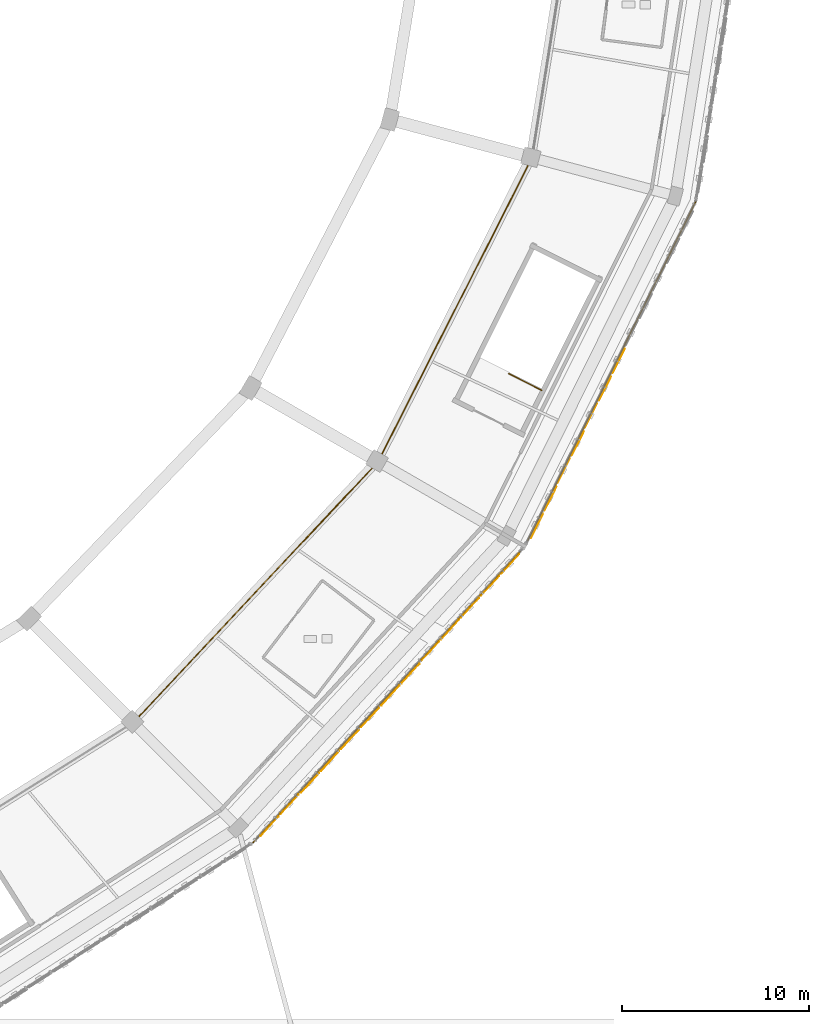
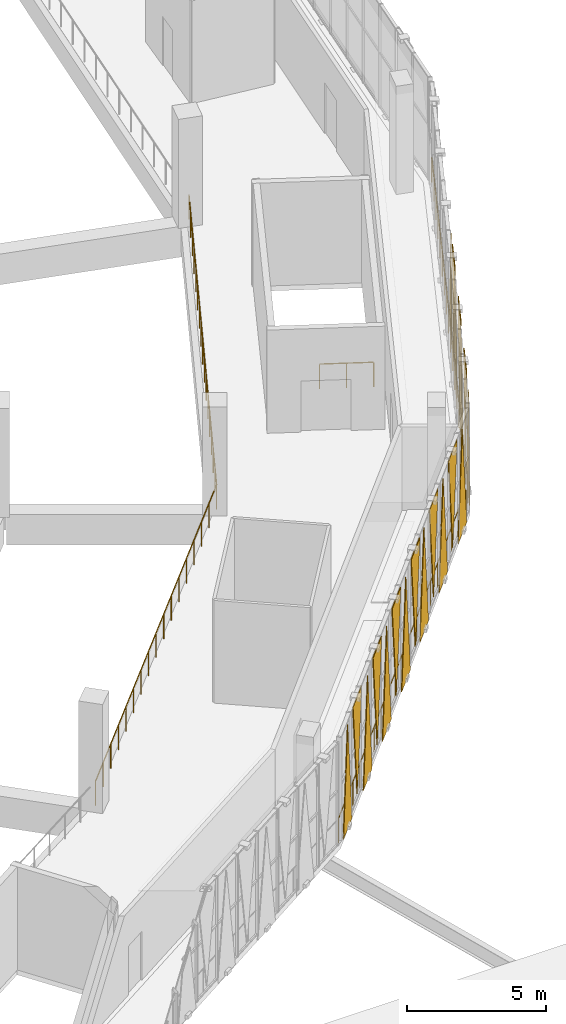
# One storey, part 93 of 108: 20 coverings, 5 railings.
"""IFC4 building model written with IfcOpenShell, lengths in metres."""

from ifc_helpers import new_model, si_unit, direction, frame, origin, origin_2d, place, context, subcontext, project, spatial, polyline, circle, outline, extrude, material, layer, layer_set, type_object, element, save


model = new_model("IFC4")

# Units and contexts
model_context = context("Model", 3, precision=1e-05, world=origin(), true_north=direction((0.0, 1.0)))
body_context = subcontext(model_context, "Body", "Model", "MODEL_VIEW")
ifc_project = project(units=[si_unit("LENGTHUNIT", "METRE"), si_unit("AREAUNIT", "SQUARE_METRE"), si_unit("VOLUMEUNIT", "CUBIC_METRE"), si_unit("PLANEANGLEUNIT", "RADIAN"), si_unit("MASSUNIT", "GRAM", prefix="KILO")], contexts=[model_context])

# Site, building, storey
site_placement = place(None, origin())
site = spatial("IfcSite", under=ifc_project, at=site_placement, CompositionType="ELEMENT")
building_placement = place(site_placement, origin())
building = spatial("IfcBuilding", under=site, at=building_placement, Name="Zevraka Park Crest Stadium", CompositionType="ELEMENT")
storey_placement = place(building_placement, frame((0.0, 0.0, 19.800048828125)))
storey = spatial("IfcBuildingStorey", under=building, at=storey_placement, Name="L04", CompositionType="ELEMENT", Elevation=19.800048828125)

# Coverings
ifc_material_1 = material(Name="Architectural golden-bronze perforated aluminium", Category="aluminium")
ifc_layer = layer(ifc_material_1, 0.034912109375)
ifc_layer_set = layer_set([ifc_layer], Name="Architectural golden-bronze perforated aluminium")
covering_type = type_object("IfcCoveringType", Name="CLD01", PredefinedType="CLADDING", material=ifc_layer_set)
covering_1_placement = place(storey_placement, frame((177.05810546875, 38.2958984375, -0.219970703125), z_axis=(0.73669182447, -0.6762286266, 1.8024112e-05), x_axis=(0.67622862671, 0.73669182459, 0.0)))
element("IfcCovering", 1, at=covering_1_placement, inside=storey, type_object=covering_type, Name="Triangular Golden-Bronze Perforated Cladding L04-21-1", PredefinedType="CLADDING", context=body_context, shape_type="SweptSolid", body=[
    extrude(outline(polyline([(0.0, 0.0), (1.4253569716340697, 3.3881317890172014e-21), (0.7127684140182788, 4.579833985118923), (0.0, 0.0)])), origin(), (0.0, 0.0, -1.0), 0.034912109375),
])
covering_2_placement = place(storey_placement, frame((179.093994140625, 40.513916015625, 4.52001953125), z_axis=(0.73652814677, -0.67640689572, 2.0908651e-05), x_axis=(-0.676406895868, -0.736528146931, 0.0)))
element("IfcCovering", 2, at=covering_2_placement, inside=storey, type_object=covering_type, Name="Triangular Golden-Bronze Perforated Cladding L04-21-2", PredefinedType="CLADDING", context=body_context, shape_type="SweptSolid", body=[
    extrude(outline(polyline([(0.0, 0.0), (1.4253422518524892, -3.3881317890172014e-21), (0.7125885567250888, 4.30004882906493), (0.0, 0.0)])), origin(), (0.0, 0.0, -1.0), 0.034912109375),
])
covering_3_placement = place(storey_placement, frame((179.201904296875, 40.632080078125, -0.219970703125), z_axis=(-0.736869540714, 0.676034962353, 9.8202135e-05), x_axis=(0.676034965613, 0.736869544267, 0.0)))
element("IfcCovering", 3, at=covering_3_placement, inside=storey, type_object=covering_type, Name="Triangular Golden-Bronze Perforated Cladding L04-21-3", PredefinedType="CLADDING", context=body_context, shape_type="SweptSolid", body=[
    extrude(outline(polyline([(0.0, 0.0), (1.4246818798077332, -1.3552527156068805e-20), (0.712753558901433, -4.57983400645818), (0.0, 0.0)])), origin(), (0.0, 0.0, -1.0), 0.034912109375),
])
covering_4_placement = place(storey_placement, frame((181.237060546875, 42.85009765625, 4.52001953125), z_axis=(-0.736947844545, 0.675949603983, 8.5413888e-05), x_axis=(-0.675949606449, -0.736947847233, 0.0)))
element("IfcCovering", 4, at=covering_4_placement, inside=storey, type_object=covering_type, Name="Triangular Golden-Bronze Perforated Cladding L04-21-4", PredefinedType="CLADDING", context=body_context, shape_type="SweptSolid", body=[
    extrude(outline(polyline([(0.0, 0.0), (1.4248617891578852, -1.3552527156068805e-20), (0.7129334209314178, -4.300048843810572), (0.0, 0.0)])), origin(), (0.0, 0.0, -1.0), 0.034912109375),
])
covering_5_placement = place(storey_placement, frame((181.344970703125, 42.968017578125, -0.219970703125), z_axis=(-0.736292908561, 0.676662949943, 7.0553383e-05), x_axis=(0.676662951627, 0.736292910393, 0.0)))
element("IfcCovering", 5, at=covering_5_placement, inside=storey, type_object=covering_type, Name="Triangular Golden-Bronze Perforated Cladding L04-21-5", PredefinedType="CLADDING", context=body_context, shape_type="SweptSolid", body=[
    extrude(outline(polyline([(0.0, 0.0), (1.4248028886560142, 1.3552527156068805e-20), (0.7118694463417287, -4.579833995773702), (0.0, 0.0)])), origin(), (0.0, 0.0, -1.0), 0.034912109375),
])
covering_6_placement = place(storey_placement, frame((183.381103515625, 45.18505859375, 4.52001953125), z_axis=(-0.736606499774, 0.676321568847, 1.711376e-06), x_axis=(-0.676321568848, -0.736606499776, 0.0)))
element("IfcCovering", 6, at=covering_6_placement, inside=storey, type_object=covering_type, Name="Triangular Golden-Bronze Perforated Cladding L04-21-6", PredefinedType="CLADDING", context=body_context, shape_type="SweptSolid", body=[
    extrude(outline(polyline([(0.0, 0.0), (1.4255220778597701, 2.117582368135751e-22), (0.7129335155007621, -4.300048828131297), (0.0, 0.0)])), origin(), (0.0, 0.0, -1.0), 0.034912109375),
])
covering_7_placement = place(storey_placement, frame((183.489013671875, 45.302978515625, -0.219970703125), z_axis=(-0.737033200725, 0.67585653189, 9.6593351e-05), x_axis=(0.675856535043, 0.737033204163, 0.0)))
element("IfcCovering", 7, at=covering_7_placement, inside=storey, type_object=covering_type, Name="Triangular Golden-Bronze Perforated Cladding L04-21-7", PredefinedType="CLADDING", context=body_context, shape_type="SweptSolid", body=[
    extrude(outline(polyline([(0.0, 0.0), (1.4246967737590959, 0.0), (0.7125884250797443, -4.579834005740556), (0.0, 0.0)])), origin(), (0.0, 0.0, -1.0), 0.034912109375),
])
covering_8_placement = place(storey_placement, frame((185.52392578125, 47.52099609375, 4.52001953125), z_axis=(-0.736691824454, 0.676228626586, 1.9196861e-05), x_axis=(-0.67622862671, -0.73669182459, 0.0)))
element("IfcCovering", 8, at=covering_8_placement, inside=storey, type_object=covering_type, Name="Triangular Golden-Bronze Perforated Cladding L04-21-8", PredefinedType="CLADDING", context=body_context, shape_type="SweptSolid", body=[
    extrude(outline(polyline([(0.0, 0.0), (1.4253569716340697, 1.6940658945086007e-21), (0.712588557615791, -4.300048828917326), (0.0, 0.0)])), origin(), (0.0, 0.0, -1.0), 0.034912109375),
])
covering_9_placement = place(storey_placement, frame((185.632080078125, 47.638916015625, -0.219970703125), z_axis=(0.736378282027, -0.676570038968, 9.0166059e-05), x_axis=(0.676570041718, 0.736378285021, 0.0)))
element("IfcCovering", 9, at=covering_9_placement, inside=storey, type_object=covering_type, Name="Triangular Golden-Bronze Perforated Cladding L04-21-9", PredefinedType="CLADDING", context=body_context, shape_type="SweptSolid", body=[
    extrude(outline(polyline([(0.0, 0.0), (1.4246376990809737, -1.3552527156068805e-20), (0.7127682991773403, 4.579834002991838), (0.0, 0.0)])), origin(), (0.0, 0.0, -1.0), 0.034912109375),
])
covering_10_placement = place(storey_placement, frame((187.6669921875, 49.85595703125, 4.52001953125), z_axis=(0.73703320263, -0.675856533637, 6.4505657e-05), x_axis=(-0.675856535043, -0.737033204163, 0.0)))
element("IfcCovering", 10, at=covering_10_placement, inside=storey, type_object=covering_type, Name="Triangular Golden-Bronze Perforated Cladding L04-21-10", PredefinedType="CLADDING", context=body_context, shape_type="SweptSolid", body=[
    extrude(outline(polyline([(0.0, 0.0), (1.4246967737590959, 0.0), (0.7119284089322413, 4.300048837071208), (0.0, 0.0)])), origin(), (0.0, 0.0, -1.0), 0.034912109375),
])
covering_11_placement = place(storey_placement, frame((187.77587890625, 49.97412109375, -0.219970703125), z_axis=(0.736869542988, -0.676034964439, 5.8921281e-05), x_axis=(0.676034965613, 0.736869544267, 0.0)))
element("IfcCovering", 11, at=covering_11_placement, inside=storey, type_object=covering_type, Name="Triangular Golden-Bronze Perforated Cladding L04-21-11", PredefinedType="CLADDING", context=body_context, shape_type="SweptSolid", body=[
    extrude(outline(polyline([(0.0, 0.0), (1.4246818798077332, 0.0), (0.7120933685053268, 4.579833992324945), (0.0, 0.0)])), origin(), (0.0, 0.0, -1.0), 0.034912109375),
])
covering_12_placement = place(storey_placement, frame((189.81103515625, 52.19189453125, 4.52001953125), z_axis=(0.73652814677, -0.67640689572, 2.0908651e-05), x_axis=(-0.676406895868, -0.736528146931, 0.0)))
element("IfcCovering", 12, at=covering_12_placement, inside=storey, type_object=covering_type, Name="Triangular Golden-Bronze Perforated Cladding L04-21-12", PredefinedType="CLADDING", context=body_context, shape_type="SweptSolid", body=[
    extrude(outline(polyline([(0.0, 0.0), (1.4253422518524892, -3.3881317890172014e-21), (0.7125885567250888, 4.30004882906493), (0.0, 0.0)])), origin(), (0.0, 0.0, -1.0), 0.034912109375),
])
covering_13_placement = place(storey_placement, frame((189.9189453125, 52.31005859375, -0.219970703125), z_axis=(0.736606499775, -0.676321568847, 1.606827e-06), x_axis=(0.676321568848, 0.736606499776, 0.0)))
element("IfcCovering", 13, at=covering_13_placement, inside=storey, type_object=covering_type, Name="Triangular Golden-Bronze Perforated Cladding L04-21-13", PredefinedType="CLADDING", context=body_context, shape_type="SweptSolid", body=[
    extrude(outline(polyline([(0.0, 0.0), (1.4255220778597701, 2.117582368135751e-22), (0.7125885623590082, 4.579833984380912), (0.0, 0.0)])), origin(), (0.0, 0.0, -1.0), 0.034912109375),
])
covering_14_placement = place(storey_placement, frame((191.47607421875, 54.22509765625, -0.219970703125), z_axis=(-0.895905829661, 0.444244013052, 3.5324757e-05), x_axis=(0.444244013329, 0.89590583022, 0.0)))
element("IfcCovering", 14, at=covering_14_placement, inside=storey, type_object=covering_type, Name="Triangular Golden-Bronze Perforated Cladding L04-22-1", PredefinedType="CLADDING", context=body_context, shape_type="SweptSolid", body=[
    extrude(outline(polyline([(0.0, 0.0), (1.4810756355382801, -3.3881317890172014e-21), (0.7399367712402793, -4.579833987232447), (0.0, 0.0)])), origin(), (0.0, 0.0, -1.0), 0.034912109375),
])
covering_15_placement = place(storey_placement, frame((192.862060546875, 57.02197265625, 4.52001953125), z_axis=(-0.896168164395, 0.443714541009, 0.000164991326), x_axis=(-0.443714547049, -0.896168176593, 0.0)))
element("IfcCovering", 15, at=covering_15_placement, inside=storey, type_object=covering_type, Name="Triangular Golden-Bronze Perforated Cladding L04-22-2", PredefinedType="CLADDING", context=body_context, shape_type="SweptSolid", body=[
    extrude(outline(polyline([(0.0, 0.0), (1.480642061984624, 1.3552527156068805e-20), (0.7402636662712996, -4.300048886653262), (0.0, 0.0)])), origin(), (0.0, 0.0, -1.0), 0.034912109375),
])
covering_16_placement = place(storey_placement, frame((192.93310546875, 57.166015625, -0.219970703125), z_axis=(0.895775587692, -0.444506575001, 3.572371e-05), x_axis=(0.444506575285, 0.895775588264, 0.0)))
element("IfcCovering", 16, at=covering_16_placement, inside=storey, type_object=covering_type, Name="Triangular Golden-Bronze Perforated Cladding L04-22-3", PredefinedType="CLADDING", context=body_context, shape_type="SweptSolid", body=[
    extrude(outline(polyline([(0.0, 0.0), (1.4802007910768735, 3.3881317890172014e-21), (0.7401554820878727, 4.579833987297354), (0.0, 0.0)])), origin(), (0.0, 0.0, -1.0), 0.034912109375),
])
covering_17_placement = place(storey_placement, frame((194.319091796875, 59.962890625, 4.52001953125), z_axis=(-0.89616817301, 0.443714545275, 8.941399e-05), x_axis=(-0.443714547049, -0.896168176593, 0.0)))
element("IfcCovering", 17, at=covering_17_placement, inside=storey, type_object=covering_type, Name="Triangular Golden-Bronze Perforated Cladding L04-22-4", PredefinedType="CLADDING", context=body_context, shape_type="SweptSolid", body=[
    extrude(outline(polyline([(0.0, 0.0), (1.480642061984624, 0.0), (0.7409200394475148, -4.300048845314149), (0.0, 0.0)])), origin(), (0.0, 0.0, -1.0), 0.034912109375),
])
covering_18_placement = place(storey_placement, frame((194.389892578125, 60.10595703125, -0.219970703125), z_axis=(0.895872759196, -0.444310698821, 4.7370403e-05), x_axis=(0.44431069932, 0.895872760201, 0.0)))
element("IfcCovering", 18, at=covering_18_placement, inside=storey, type_object=covering_type, Name="Triangular Golden-Bronze Perforated Cladding L04-22-5", PredefinedType="CLADDING", context=body_context, shape_type="SweptSolid", body=[
    extrude(outline(polyline([(0.0, 0.0), (1.481402824662643, 3.3881317890172014e-21), (0.7411388502025134, 4.579833989513471), (0.0, 0.0)])), origin(), (0.0, 0.0, -1.0), 0.034912109375),
])
covering_19_placement = place(storey_placement, frame((195.77587890625, 62.903076171875, 4.52001953125), z_axis=(-0.896200625851, 0.443648985314, 0.000126701806), x_axis=(-0.443648988875, -0.896200633045, 0.0)))
element("IfcCovering", 19, at=covering_19_placement, inside=storey, type_object=covering_type, Name="Triangular Golden-Bronze Perforated Cladding L04-22-6", PredefinedType="CLADDING", context=body_context, shape_type="SweptSolid", body=[
    extrude(outline(polyline([(0.0, 0.0), (1.4808608570056243, -1.3552527156068805e-20), (0.7401552996495949, -4.300048862640089), (0.0, 0.0)])), origin(), (0.0, 0.0, -1.0), 0.034912109375),
])
covering_20_placement = place(storey_placement, frame((195.846923828125, 63.047119140625, -0.219970703125), z_axis=(-0.896168162305, 0.443714539975, 0.000178565316), x_axis=(0.443714547049, 0.896168176593, 0.0)))
element("IfcCovering", 20, at=covering_20_placement, inside=storey, type_object=covering_type, Name="Triangular Golden-Bronze Perforated Cladding L04-22-7", PredefinedType="CLADDING", context=body_context, shape_type="SweptSolid", body=[
    extrude(outline(polyline([(0.0, 0.0), (1.480642061984624, 1.3552527156068805e-20), (0.7400448752125612, -4.5798340573903165), (0.0, 0.0)])), origin(), (0.0, 0.0, -1.0), 0.034912109375),
])

# Railings
ifc_material_2 = material(Name="Galvanised and bronze-finished steel balustrade", Category="steel")
railing_type_1 = type_object("IfcRailingType", Name="GR01", PredefinedType="GUARDRAIL", material=ifc_material_2)
railing_1_placement = place(storey_placement, frame((200.31494140625, 72.220947265625, 0.0)))
element("IfcRailing", 21, at=railing_1_placement, inside=storey, type_object=railing_type_1, Name="Deck Edge Protection Guardrail GR01 L04-14", PredefinedType="GUARDRAIL", context=body_context, shape_type="SweptSolid", body=[
    extrude(circle(Radius=0.02392578125, at=origin_2d()), frame((0.0, 0.0, 1.076171875), z_axis=(-0.443962582081, -0.896045325702, 0.0), x_axis=(0.896045325702, -0.443962582081, 0.0)), (0.0, 0.0, 1.0), 20.204345703125),
    extrude(circle(Radius=0.02099609375, at=origin_2d()), origin(), (0.0, 0.0, 1.0), 1.052001953125),
    extrude(circle(Radius=0.02099609375, at=origin_2d()), frame((-0.527587890625, -1.06494140625, 0.0)), (0.0, 0.0, 1.0), 1.052001953125),
    extrude(circle(Radius=0.02099609375, at=origin_2d()), frame((-1.05517578125, -2.1298828125, 0.0)), (0.0, 0.0, 1.0), 1.052001953125),
    extrude(circle(Radius=0.02099609375, at=origin_2d()), frame((-1.5830078125, -3.19482421875, 0.0)), (0.0, 0.0, 1.0), 1.052001953125),
    extrude(circle(Radius=0.02099609375, at=origin_2d()), frame((-2.110595703125, -4.259765625, 0.0)), (0.0, 0.0, 1.0), 1.052001953125),
    extrude(circle(Radius=0.02099609375, at=origin_2d()), frame((-2.63818359375, -5.32470703125, 0.0)), (0.0, 0.0, 1.0), 1.052001953125),
    extrude(circle(Radius=0.02099609375, at=origin_2d()), frame((-3.165771484375, -6.3896484375, 0.0)), (0.0, 0.0, 1.0), 1.052001953125),
    extrude(circle(Radius=0.02099609375, at=origin_2d()), frame((-3.693603515625, -7.45458984375, 0.0)), (0.0, 0.0, 1.0), 1.052001953125),
    extrude(circle(Radius=0.02099609375, at=origin_2d()), frame((-4.22119140625, -8.51953125, 0.0)), (0.0, 0.0, 1.0), 1.052001953125),
    extrude(circle(Radius=0.02099609375, at=origin_2d()), frame((-4.748779296875, -9.58447265625, 0.0)), (0.0, 0.0, 1.0), 1.052001953125),
    extrude(circle(Radius=0.02099609375, at=origin_2d()), frame((-5.2763671875, -10.6494140625, 0.0)), (0.0, 0.0, 1.0), 1.052001953125),
    extrude(circle(Radius=0.02099609375, at=origin_2d()), frame((-5.80419921875, -11.71435546875, 0.0)), (0.0, 0.0, 1.0), 1.052001953125),
    extrude(circle(Radius=0.02099609375, at=origin_2d()), frame((-6.331787109375, -12.779296875, 0.0)), (0.0, 0.0, 1.0), 1.052001953125),
    extrude(circle(Radius=0.02099609375, at=origin_2d()), frame((-6.859375, -13.84423828125, 0.0)), (0.0, 0.0, 1.0), 1.052001953125),
    extrude(circle(Radius=0.02099609375, at=origin_2d()), frame((-7.386962890625, -14.9091796875, 0.0)), (0.0, 0.0, 1.0), 1.052001953125),
    extrude(circle(Radius=0.02099609375, at=origin_2d()), frame((-7.914794921875, -15.97412109375, 0.0)), (0.0, 0.0, 1.0), 1.052001953125),
    extrude(circle(Radius=0.02099609375, at=origin_2d()), frame((-8.4423828125, -17.0390625, 0.0)), (0.0, 0.0, 1.0), 1.052001953125),
    extrude(circle(Radius=0.02099609375, at=origin_2d()), frame((-8.969970703125, -18.10400390625, 0.0)), (0.0, 0.0, 1.0), 1.052001953125),
])
railing_2_placement = place(storey_placement, frame((190.923095703125, 53.507080078125, 0.0)))
element("IfcRailing", 22, at=railing_2_placement, inside=storey, type_object=railing_type_1, Name="Deck Edge Protection Guardrail GR01 L04-15", PredefinedType="GUARDRAIL", context=body_context, shape_type="SweptSolid", body=[
    extrude(circle(Radius=0.02392578125, at=origin_2d()), frame((0.0, 0.0, 1.076171875), z_axis=(-0.676150451562, -0.736763575954, 0.0), x_axis=(0.736763575954, -0.676150451562, 0.0)), (0.0, 0.0, 1.0), 21.101806640625),
    extrude(circle(Radius=0.02099609375, at=origin_2d()), origin(), (0.0, 0.0, 1.0), 1.052001953125),
    extrude(circle(Radius=0.02099609375, at=origin_2d()), frame((-0.792724609375, -0.86376953125, 0.0)), (0.0, 0.0, 1.0), 1.052001953125),
    extrude(circle(Radius=0.02099609375, at=origin_2d()), frame((-1.58544921875, -1.7275390625, 0.0)), (0.0, 0.0, 1.0), 1.052001953125),
    extrude(circle(Radius=0.02099609375, at=origin_2d()), frame((-2.3779296875, -2.59130859375, 0.0)), (0.0, 0.0, 1.0), 1.052001953125),
    extrude(circle(Radius=0.02099609375, at=origin_2d()), frame((-3.170654296875, -3.454833984375, 0.0)), (0.0, 0.0, 1.0), 1.052001953125),
    extrude(circle(Radius=0.02099609375, at=origin_2d()), frame((-3.96337890625, -4.318603515625, 0.0)), (0.0, 0.0, 1.0), 1.052001953125),
    extrude(circle(Radius=0.02099609375, at=origin_2d()), frame((-4.756103515625, -5.182373046875, 0.0)), (0.0, 0.0, 1.0), 1.052001953125),
    extrude(circle(Radius=0.02099609375, at=origin_2d()), frame((-5.548583984375, -6.046142578125, 0.0)), (0.0, 0.0, 1.0), 1.052001953125),
    extrude(circle(Radius=0.02099609375, at=origin_2d()), frame((-6.34130859375, -6.909912109375, 0.0)), (0.0, 0.0, 1.0), 1.052001953125),
    extrude(circle(Radius=0.02099609375, at=origin_2d()), frame((-7.134033203125, -7.7734375, 0.0)), (0.0, 0.0, 1.0), 1.052001953125),
    extrude(circle(Radius=0.02099609375, at=origin_2d()), frame((-7.9267578125, -8.63720703125, 0.0)), (0.0, 0.0, 1.0), 1.052001953125),
    extrude(circle(Radius=0.02099609375, at=origin_2d()), frame((-8.719482421875, -9.5009765625, 0.0)), (0.0, 0.0, 1.0), 1.052001953125),
    extrude(circle(Radius=0.02099609375, at=origin_2d()), frame((-9.511962890625, -10.36474609375, 0.0)), (0.0, 0.0, 1.0), 1.052001953125),
    extrude(circle(Radius=0.02099609375, at=origin_2d()), frame((-10.3046875, -11.228515625, 0.0)), (0.0, 0.0, 1.0), 1.052001953125),
    extrude(circle(Radius=0.02099609375, at=origin_2d()), frame((-11.097412109375, -12.09228515625, 0.0)), (0.0, 0.0, 1.0), 1.052001953125),
    extrude(circle(Radius=0.02099609375, at=origin_2d()), frame((-11.89013671875, -12.9560546875, 0.0)), (0.0, 0.0, 1.0), 1.052001953125),
    extrude(circle(Radius=0.02099609375, at=origin_2d()), frame((-12.6826171875, -13.819580078125, 0.0)), (0.0, 0.0, 1.0), 1.052001953125),
    extrude(circle(Radius=0.02099609375, at=origin_2d()), frame((-13.475341796875, -14.683349609375, 0.0)), (0.0, 0.0, 1.0), 1.052001953125),
    extrude(circle(Radius=0.02099609375, at=origin_2d()), frame((-14.26806640625, -15.547119140625, 0.0)), (0.0, 0.0, 1.0), 1.052001953125),
])
railing_3_placement = place(storey_placement, frame((170.237060546875, 44.35693359375, 0.0)))
element("IfcRailing", 23, at=railing_3_placement, inside=storey, type_object=railing_type_1, Name="Deck Edge Protection Guardrail GR01 L04-32", PredefinedType="GUARDRAIL", context=body_context, shape_type="SweptSolid", body=[
    extrude(circle(Radius=0.02392578125, at=origin_2d()), frame((0.0, 0.0, 1.076171875), z_axis=(0.684315979341, 0.729185600803, 0.0), x_axis=(-0.729185600803, 0.684315979341, 0.0)), (0.0, 0.0, 1.0), 19.12548828125),
    extrude(circle(Radius=0.02099609375, at=origin_2d()), origin(), (0.0, 0.0, 1.0), 1.052001953125),
    extrude(circle(Radius=0.02099609375, at=origin_2d()), frame((0.81787109375, 0.87158203125, 0.0)), (0.0, 0.0, 1.0), 1.052001953125),
    extrude(circle(Radius=0.02099609375, at=origin_2d()), frame((1.635986328125, 1.7431640625, 0.0)), (0.0, 0.0, 1.0), 1.052001953125),
    extrude(circle(Radius=0.02099609375, at=origin_2d()), frame((2.4541015625, 2.614990234375, 0.0)), (0.0, 0.0, 1.0), 1.052001953125),
    extrude(circle(Radius=0.02099609375, at=origin_2d()), frame((3.27197265625, 3.486572265625, 0.0)), (0.0, 0.0, 1.0), 1.052001953125),
    extrude(circle(Radius=0.02099609375, at=origin_2d()), frame((4.08984375, 4.358154296875, 0.0)), (0.0, 0.0, 1.0), 1.052001953125),
    extrude(circle(Radius=0.02099609375, at=origin_2d()), frame((4.907958984375, 5.229736328125, 0.0)), (0.0, 0.0, 1.0), 1.052001953125),
    extrude(circle(Radius=0.02099609375, at=origin_2d()), frame((5.72607421875, 6.101318359375, 0.0)), (0.0, 0.0, 1.0), 1.052001953125),
    extrude(circle(Radius=0.02099609375, at=origin_2d()), frame((6.5439453125, 6.97314453125, 0.0)), (0.0, 0.0, 1.0), 1.052001953125),
    extrude(circle(Radius=0.02099609375, at=origin_2d()), frame((7.36181640625, 7.8447265625, 0.0)), (0.0, 0.0, 1.0), 1.052001953125),
    extrude(circle(Radius=0.02099609375, at=origin_2d()), frame((8.179931640625, 8.71630859375, 0.0)), (0.0, 0.0, 1.0), 1.052001953125),
    extrude(circle(Radius=0.02099609375, at=origin_2d()), frame((8.998046875, 9.587890625, 0.0)), (0.0, 0.0, 1.0), 1.052001953125),
    extrude(circle(Radius=0.02099609375, at=origin_2d()), frame((9.81591796875, 10.45947265625, 0.0)), (0.0, 0.0, 1.0), 1.052001953125),
    extrude(circle(Radius=0.02099609375, at=origin_2d()), frame((10.6337890625, 11.3310546875, 0.0)), (0.0, 0.0, 1.0), 1.052001953125),
    extrude(circle(Radius=0.02099609375, at=origin_2d()), frame((11.451904296875, 12.202880859375, 0.0)), (0.0, 0.0, 1.0), 1.052001953125),
    extrude(circle(Radius=0.02099609375, at=origin_2d()), frame((12.27001953125, 13.074462890625, 0.0)), (0.0, 0.0, 1.0), 1.052001953125),
    extrude(circle(Radius=0.02099609375, at=origin_2d()), frame((13.087890625, 13.946044921875, 0.0)), (0.0, 0.0, 1.0), 1.052001953125),
])
railing_4_placement = place(storey_placement, frame((183.324951171875, 58.302978515625, 0.0)))
element("IfcRailing", 24, at=railing_4_placement, inside=storey, type_object=railing_type_1, Name="Deck Edge Protection Guardrail GR01 L04-33", PredefinedType="GUARDRAIL", context=body_context, shape_type="SweptSolid", body=[
    extrude(circle(Radius=0.02392578125, at=origin_2d()), frame((0.0, 0.0, 1.076171875), z_axis=(0.451877431066, 0.89208003413, 0.0), x_axis=(-0.89208003413, 0.451877431066, 0.0)), (0.0, 0.0, 1.0), 18.235107421875),
    extrude(circle(Radius=0.02099609375, at=origin_2d()), origin(), (0.0, 0.0, 1.0), 1.052001953125),
    extrude(circle(Radius=0.02099609375, at=origin_2d()), frame((0.514892578125, 1.0166015625, 0.0)), (0.0, 0.0, 1.0), 1.052001953125),
    extrude(circle(Radius=0.02099609375, at=origin_2d()), frame((1.030029296875, 2.033447265625, 0.0)), (0.0, 0.0, 1.0), 1.052001953125),
    extrude(circle(Radius=0.02099609375, at=origin_2d()), frame((1.544921875, 3.050048828125, 0.0)), (0.0, 0.0, 1.0), 1.052001953125),
    extrude(circle(Radius=0.02099609375, at=origin_2d()), frame((2.06005859375, 4.06689453125, 0.0)), (0.0, 0.0, 1.0), 1.052001953125),
    extrude(circle(Radius=0.02099609375, at=origin_2d()), frame((2.574951171875, 5.08349609375, 0.0)), (0.0, 0.0, 1.0), 1.052001953125),
    extrude(circle(Radius=0.02099609375, at=origin_2d()), frame((3.090087890625, 6.10009765625, 0.0)), (0.0, 0.0, 1.0), 1.052001953125),
    extrude(circle(Radius=0.02099609375, at=origin_2d()), frame((3.60498046875, 7.116943359375, 0.0)), (0.0, 0.0, 1.0), 1.052001953125),
    extrude(circle(Radius=0.02099609375, at=origin_2d()), frame((4.1201171875, 8.133544921875, 0.0)), (0.0, 0.0, 1.0), 1.052001953125),
    extrude(circle(Radius=0.02099609375, at=origin_2d()), frame((4.635009765625, 9.150146484375, 0.0)), (0.0, 0.0, 1.0), 1.052001953125),
    extrude(circle(Radius=0.02099609375, at=origin_2d()), frame((5.14990234375, 10.1669921875, 0.0)), (0.0, 0.0, 1.0), 1.052001953125),
    extrude(circle(Radius=0.02099609375, at=origin_2d()), frame((5.6650390625, 11.18359375, 0.0)), (0.0, 0.0, 1.0), 1.052001953125),
    extrude(circle(Radius=0.02099609375, at=origin_2d()), frame((6.179931640625, 12.2001953125, 0.0)), (0.0, 0.0, 1.0), 1.052001953125),
    extrude(circle(Radius=0.02099609375, at=origin_2d()), frame((6.695068359375, 13.217041015625, 0.0)), (0.0, 0.0, 1.0), 1.052001953125),
    extrude(circle(Radius=0.02099609375, at=origin_2d()), frame((7.2099609375, 14.233642578125, 0.0)), (0.0, 0.0, 1.0), 1.052001953125),
    extrude(circle(Radius=0.02099609375, at=origin_2d()), frame((7.72509765625, 15.25048828125, 0.0)), (0.0, 0.0, 1.0), 1.052001953125),
    extrude(circle(Radius=0.02099609375, at=origin_2d()), frame((8.239990234375, 16.26708984375, 0.0)), (0.0, 0.0, 1.0), 1.052001953125),
])
ifc_material_3 = material(Name="Powder-coated tubular steel stairwell guard", Category="steel")
railing_type_2 = type_object("IfcRailingType", Name="GR03", PredefinedType="GUARDRAIL", material=ifc_material_3)
railing_5_placement = place(storey_placement, frame((192.074462890625, 62.136474609375, 0.0)))
element("IfcRailing", 25, at=railing_5_placement, inside=storey, type_object=railing_type_2, Name="L04 ST23 top well guard 1", PredefinedType="GUARDRAIL", context=body_context, shape_type="SweptSolid", body=[
    extrude(circle(Radius=0.02392578125, at=origin_2d()), frame((0.0, 0.0, 1.076171875), z_axis=(-0.89407815629, 0.447910984957, 0.0), x_axis=(-0.447910984957, -0.89407815629, 0.0)), (0.0, 0.0, 1.0), 1.9599609375),
    extrude(circle(Radius=0.02099609375, at=origin_2d()), origin(), (0.0, 0.0, 1.0), 1.052001953125),
    extrude(circle(Radius=0.02099609375, at=origin_2d()), frame((-0.876220703125, 0.43896484375, 0.0)), (0.0, 0.0, 1.0), 1.052001953125),
    extrude(circle(Radius=0.02099609375, at=origin_2d()), frame((-1.75244140625, 0.8779296875, 0.0)), (0.0, 0.0, 1.0), 1.052001953125),
])

save(model, "model.ifc")
